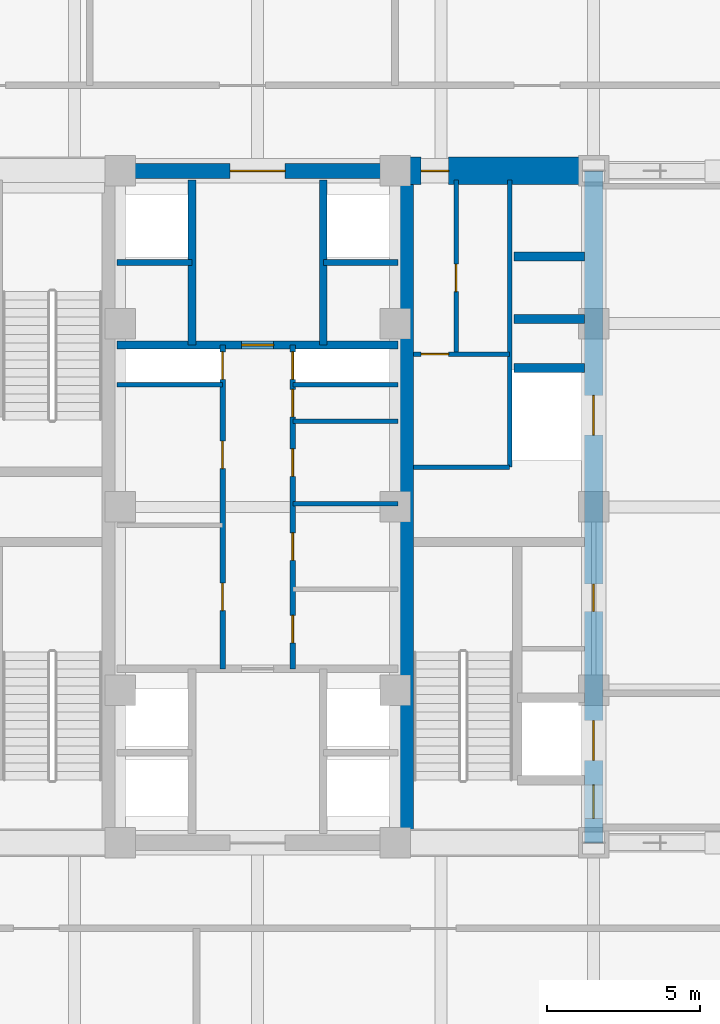
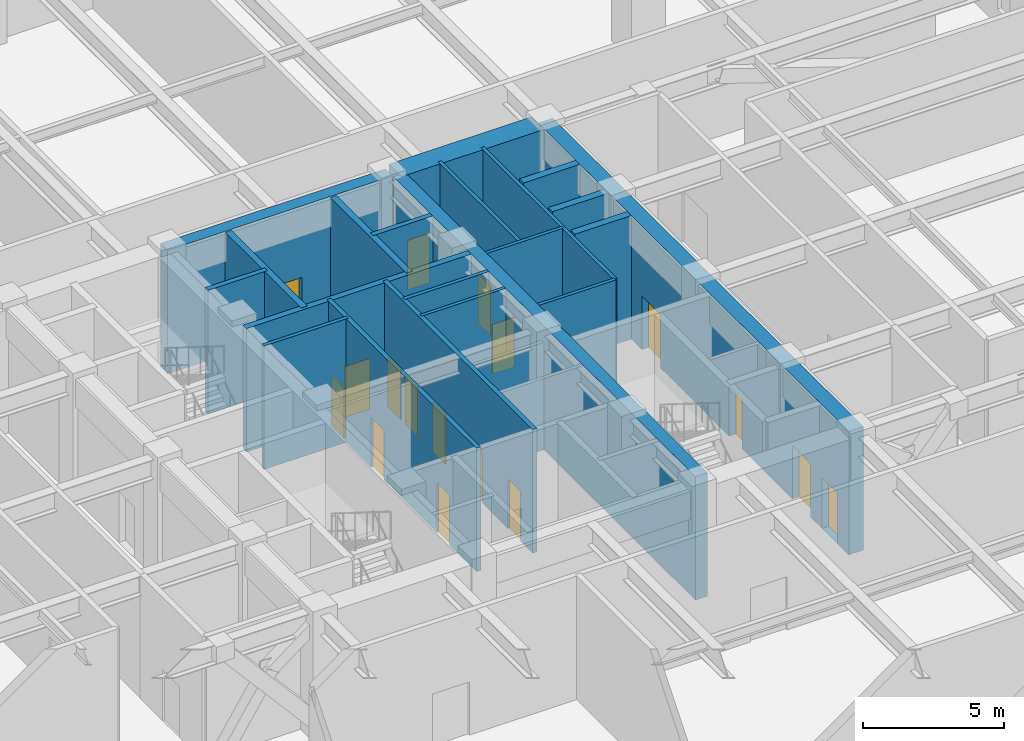
# One storey, part 14 of 21: 22 walls, 17 doors, 17 openings.
"""IFC4 building model written with IfcOpenShell, lengths in metres."""

from ifc_helpers import new_model, si_unit, direction, frame, frame_2d, origin, place, context, subcontext, project, spatial, rectangle, extrude, source, transform, mapped, material, layer, layer_set, type_object, element, fill, save


model = new_model("IFC4")

# Units and contexts
model_context = context("Model", 3, precision=1e-05, world=origin(), true_north=direction((0.0, 1.0)))
body_context = subcontext(model_context, "Body", "Model", "MODEL_VIEW")
ifc_project = project(units=[si_unit("LENGTHUNIT", "METRE"), si_unit("AREAUNIT", "SQUARE_METRE"), si_unit("VOLUMEUNIT", "CUBIC_METRE"), si_unit("PLANEANGLEUNIT", "RADIAN"), si_unit("MASSUNIT", "GRAM", prefix="KILO")], contexts=[model_context])

# Site, building, storey
site_placement = place(None, origin())
site = spatial("IfcSite", under=ifc_project, at=site_placement, CompositionType="ELEMENT")
building_placement = place(site_placement, origin())
building = spatial("IfcBuilding", under=site, at=building_placement, Name="Khorayat Bourse Tower", CompositionType="ELEMENT")
storey_placement = place(building_placement, frame((0.0, 0.0, 27.0)))
storey = spatial("IfcBuildingStorey", under=building, at=storey_placement, Name="L05", CompositionType="ELEMENT", Elevation=27.0)

# Wall, openings, doors
ifc_material_1 = material(Name="Concrete C60/75", Category="concrete")
ifc_layer_1 = layer(ifc_material_1, 0.60009765625)
ifc_layer_set_1 = layer_set([ifc_layer_1], Name="Concrete C60/75")
wall_type_1 = type_object("IfcWallType", Name="WAL-CORE-600", PredefinedType="SHEAR", material=ifc_layer_set_1)
shared_shape_1 = source(origin(), body_context, "Body", "SweptSolid", [
    extrude(rectangle(XDim=22.0, YDim=0.60009765625, at=frame_2d((11.0, 0.0))), origin(), (0.0, 0.0, 1.0), 5.340087890625),
])
wall_1_placement = place(storey_placement, frame((11.0, -11.0, 0.0), z_axis=(0.0, 0.0, 1.0), x_axis=(0.0, 1.0, 0.0)))
wall_1 = element("IfcWall", 1, at=wall_1_placement, inside=storey, type_object=wall_type_1, Name="L05 Core Shear Wall CORE-E", PredefinedType="SHEAR", context=body_context, shape_type="MappedRepresentation", body=[
    mapped(shared_shape_1, transform((0.0, 0.0, 0.0), scale=1.0)),
])
shared_shape_2 = source(origin(), body_context, "Body", "SweptSolid", [
    extrude(rectangle(XDim=1.10009765625, YDim=2.199951171875, at=frame_2d((0.550048828125, 1.10009765625))), frame((0.0, 0.31005859375, 0.0), z_axis=(0.0, -1.0, 0.0), x_axis=(1.0, 0.0, 0.0)), (0.0, 0.0, 1.0), 0.6201171875),
])
opening_1_placement = place(wall_1_placement, frame((0.800048828125, 0.0, 0.0)))
opening_1 = element("IfcOpeningElement", 2, at=opening_1_placement, cuts=wall_1, Name="Opening DI-01", PredefinedType="OPENING", context=body_context, shape_type="MappedRepresentation", body=[
    mapped(shared_shape_2, transform((0.0, 0.0, 0.0), scale=1.0)),
])
shared_shape_3 = source(origin(), body_context, "Body", "SweptSolid", [
    extrude(rectangle(XDim=0.89990234375, YDim=2.14990234375, at=frame_2d((0.449951171875, 1.074951171875))), frame((0.0, 0.31005859375, 0.0), z_axis=(0.0, -1.0, 0.0), x_axis=(1.0, 0.0, 0.0)), (0.0, 0.0, 1.0), 0.6201171875),
])
opening_2_placement = place(wall_1_placement, frame((7.574951171875, 0.0, 0.0)))
opening_2 = element("IfcOpeningElement", 3, at=opening_2_placement, cuts=wall_1, Name="Opening DI-06", PredefinedType="OPENING", context=body_context, shape_type="MappedRepresentation", body=[
    mapped(shared_shape_3, transform((0.0, 0.0, 0.0), scale=1.0)),
])
shared_shape_4 = source(origin(), body_context, "Body", "SweptSolid", [
    extrude(rectangle(XDim=1.300048828125, YDim=2.300048828125, at=frame_2d((0.64990234375, 1.14990234375))), frame((0.0, 0.31005859375, 0.0), z_axis=(0.0, -1.0, 0.0), x_axis=(1.0, 0.0, 0.0)), (0.0, 0.0, 1.0), 0.6201171875),
])
opening_3_placement = place(wall_1_placement, frame((2.699951171875, 0.0, 0.0)))
opening_3 = element("IfcOpeningElement", 4, at=opening_3_placement, cuts=wall_1, Name="Opening LD-02", PredefinedType="OPENING", context=body_context, shape_type="MappedRepresentation", body=[
    mapped(shared_shape_4, transform((0.0, 0.0, 0.0), scale=1.0)),
])
opening_4_placement = place(wall_1_placement, frame((13.35009765625, 0.0, 0.0)))
opening_4 = element("IfcOpeningElement", 5, at=opening_4_placement, cuts=wall_1, Name="Opening LD-02", PredefinedType="OPENING", context=body_context, shape_type="MappedRepresentation", body=[
    mapped(shared_shape_4, transform((0.0, 0.0, 0.0), scale=1.0)),
])
ifc_material_2 = material(Name="Fire-rated steel acoustic leaf", Category="steel")
door_type_1 = type_object("IfcDoorType", Name="DR-INT-STAIR-1100", OperationType="NOTDEFINED", PredefinedType="DOOR", material=ifc_material_2)
shared_shape_5 = source(origin(), body_context, "Body", "SweptSolid", [
    extrude(rectangle(XDim=1.10009765625, YDim=2.199951171875, at=frame_2d((0.550048828125, 1.10009765625))), frame((0.0, 0.02490234375, 0.0), z_axis=(0.0, -1.0, 0.0), x_axis=(1.0, 0.0, 0.0)), (0.0, 0.0, 1.0), 0.050048828125),
])
door_1_placement = place(opening_1_placement, origin())
door_1 = element("IfcDoor", 6, at=door_1_placement, inside=storey, type_object=door_type_1, Name="L05 Exit Stair 3 Door", OperationType="SINGLE_SWING_LEFT", OverallHeight=2.199951171875, OverallWidth=1.10009765625, PredefinedType="DOOR", context=body_context, shape_type="MappedRepresentation", body=[
    mapped(shared_shape_5, transform((0.0, 0.0, 0.0), scale=1.0)),
])
fill(opening_1, door_1)
ifc_material_3 = material(Name="Moisture-resistant laminate washroom door")
door_type_2 = type_object("IfcDoorType", Name="DR-INT-WC-900", OperationType="NOTDEFINED", PredefinedType="DOOR", material=ifc_material_3)
shared_shape_6 = source(origin(), body_context, "Body", "SweptSolid", [
    extrude(rectangle(XDim=0.89990234375, YDim=2.14990234375, at=frame_2d((0.449951171875, 1.074951171875))), frame((0.0, 0.02490234375, 0.0), z_axis=(0.0, -1.0, 0.0), x_axis=(1.0, 0.0, 0.0)), (0.0, 0.0, 1.0), 0.050048828125),
])
door_2_placement = place(opening_2_placement, origin())
door_2 = element("IfcDoor", 7, at=door_2_placement, inside=storey, type_object=door_type_2, Name="L05 Fiber Server Plant Room Door", OperationType="SINGLE_SWING_LEFT", OverallHeight=2.14990234375, OverallWidth=0.89990234375, PredefinedType="DOOR", context=body_context, shape_type="MappedRepresentation", body=[
    mapped(shared_shape_6, transform((0.0, 0.0, 0.0), scale=1.0)),
])
fill(opening_2, door_2)
ifc_material_4 = material(Name="Fire-rated stainless-steel sliding landing door", Category="steel")
door_type_3 = type_object("IfcDoorType", Name="DR-LIFT-FF-1300", OperationType="NOTDEFINED", PredefinedType="DOOR", material=ifc_material_4)
shared_shape_7 = source(origin(), body_context, "Body", "SweptSolid", [
    extrude(rectangle(XDim=1.300048828125, YDim=2.300048828125, at=frame_2d((0.64990234375, 1.14990234375))), frame((0.0, 0.02490234375, 0.0), z_axis=(0.0, -1.0, 0.0), x_axis=(1.0, 0.0, 0.0)), (0.0, 0.0, 1.0), 0.050048828125),
])
door_3_placement = place(opening_3_placement, origin())
door_3 = element("IfcDoor", 8, at=door_3_placement, inside=storey, type_object=door_type_3, Name="L05 Lift FFL-02 Sliding Landing Door", OperationType="SLIDING_TO_LEFT", OverallHeight=2.300048828125, OverallWidth=1.300048828125, PredefinedType="DOOR", context=body_context, shape_type="MappedRepresentation", body=[
    mapped(shared_shape_7, transform((0.0, 0.0, 0.0), scale=1.0)),
])
fill(opening_3, door_3)
door_4_placement = place(opening_4_placement, origin())
door_4 = element("IfcDoor", 9, at=door_4_placement, inside=storey, type_object=door_type_3, Name="L05 Lift SVL-01 Sliding Landing Door", OperationType="SLIDING_TO_LEFT", OverallHeight=2.300048828125, OverallWidth=1.300048828125, PredefinedType="DOOR", context=body_context, shape_type="MappedRepresentation", body=[
    mapped(shared_shape_7, transform((0.0, 0.0, 0.0), scale=1.0)),
])
fill(opening_4, door_4)

# Wall
ifc_material_5 = material(Name="Concrete C52/65", Category="concrete")
ifc_layer_2 = layer(ifc_material_5, 0.5)
ifc_layer_set_2 = layer_set([ifc_layer_2], Name="Concrete C52/65")
wall_type_2 = type_object("IfcWallType", Name="WAL-CORE-500", PredefinedType="SHEAR", material=ifc_layer_set_2)
shared_shape_8 = source(origin(), body_context, "Body", "SweptSolid", [
    extrude(rectangle(XDim=21.39990234375, YDim=0.5, at=frame_2d((10.699951171875, 0.0))), origin(), (0.0, 0.0, 1.0), 5.340087890625),
])
wall_2_placement = place(storey_placement, frame((4.85009765625, -10.699951171875, 0.0), z_axis=(0.0, 0.0, 1.0), x_axis=(0.0, 1.0, 0.0)))
element("IfcWall", 10, at=wall_2_placement, inside=storey, type_object=wall_type_2, Name="L05 Core Shear Wall PIER-E", PredefinedType="SHEAR", context=body_context, shape_type="MappedRepresentation", body=[
    mapped(shared_shape_8, transform((0.0, 0.0, 0.0), scale=1.0)),
])

# Wall, opening, door
ifc_material_6 = material(Name="Concrete C72/90", Category="concrete")
ifc_layer_3 = layer(ifc_material_6, 0.89990234375)
ifc_layer_set_3 = layer_set([ifc_layer_3], Name="Concrete C72/90")
wall_type_3 = type_object("IfcWallType", Name="WAL-CORE-900", PredefinedType="SHEAR", material=ifc_layer_set_3)
shared_shape_9 = source(origin(), body_context, "Body", "SweptSolid", [
    extrude(rectangle(XDim=5.849853515625, YDim=0.89990234375, at=frame_2d((2.9248046875, 0.0))), origin(), (0.0, 0.0, 1.0), 5.340087890625),
])
wall_3_placement = place(storey_placement, frame((4.85009765625, 11.0, 0.0), z_axis=(0.0, 0.0, 1.0), x_axis=(1.0, 0.0, 0.0)))
wall_3 = element("IfcWall", 11, at=wall_3_placement, inside=storey, type_object=wall_type_3, Name="L05 Core Shear Wall PIER-EN", PredefinedType="SHEAR", context=body_context, shape_type="MappedRepresentation", body=[
    mapped(shared_shape_9, transform((0.0, 0.0, 0.0), scale=1.0)),
])
shared_shape_10 = source(origin(), body_context, "Body", "SweptSolid", [
    extrude(rectangle(XDim=0.89990234375, YDim=2.14990234375, at=frame_2d((0.449951171875, 1.074951171875))), frame((0.0, 0.4599609375, 0.0), z_axis=(0.0, -1.0, 0.0), x_axis=(1.0, 0.0, 0.0)), (0.0, 0.0, 1.0), 0.919921875),
])
opening_5_placement = place(wall_3_placement, frame((0.5, 0.0, 0.0)))
opening_5 = element("IfcOpeningElement", 12, at=opening_5_placement, cuts=wall_3, Name="Opening DI-06", PredefinedType="OPENING", context=body_context, shape_type="MappedRepresentation", body=[
    mapped(shared_shape_10, transform((0.0, 0.0, 0.0), scale=1.0)),
])
door_5_placement = place(opening_5_placement, origin())
door_5 = element("IfcDoor", 13, at=door_5_placement, inside=storey, type_object=door_type_2, Name="L05 Core Washroom Lobby Door", OperationType="SINGLE_SWING_LEFT", OverallHeight=2.14990234375, OverallWidth=0.89990234375, PredefinedType="DOOR", context=body_context, shape_type="MappedRepresentation", body=[
    mapped(shared_shape_6, transform((0.0, 0.0, 0.0), scale=1.0)),
])
fill(opening_5, door_5)

shared_shape_11 = source(origin(), body_context, "Body", "SweptSolid", [
    extrude(rectangle(XDim=9.2001953125, YDim=0.5, at=frame_2d((4.60009765625, 0.0))), origin(), (0.0, 0.0, 1.0), 5.340087890625),
])
wall_4_placement = place(storey_placement, frame((-4.60009765625, 11.0, 0.0), z_axis=(0.0, 0.0, 1.0), x_axis=(1.0, 0.0, 0.0)))
wall_4 = element("IfcWall", 14, at=wall_4_placement, inside=storey, type_object=wall_type_2, Name="L05 Core Shear Wall CORE-N", PredefinedType="SHEAR", context=body_context, shape_type="MappedRepresentation", body=[
    mapped(shared_shape_11, transform((0.0, 0.0, 0.0), scale=1.0)),
])
shared_shape_12 = source(origin(), body_context, "Body", "SweptSolid", [
    extrude(rectangle(XDim=1.800048828125, YDim=2.25, at=frame_2d((0.89990234375, 1.125))), frame((0.0, 0.260009765625, 0.0), z_axis=(0.0, -1.0, 0.0), x_axis=(1.0, 0.0, 0.0)), (0.0, 0.0, 1.0), 0.52001953125),
])
opening_6_placement = place(wall_4_placement, frame((3.699951171875, 0.0, 0.0)))
opening_6 = element("IfcOpeningElement", 15, at=opening_6_placement, cuts=wall_4, Name="Opening DI-03", PredefinedType="OPENING", context=body_context, shape_type="MappedRepresentation", body=[
    mapped(shared_shape_12, transform((0.0, 0.0, 0.0), scale=1.0)),
])
ifc_material_7 = material(Name="Fire-rated hardwood vision-panel double leaf", Category="wood")
door_type_4 = type_object("IfcDoorType", Name="DR-INT-CORR-1800", OperationType="NOTDEFINED", PredefinedType="DOOR", material=ifc_material_7)
shared_shape_13 = source(origin(), body_context, "Body", "SweptSolid", [
    extrude(rectangle(XDim=1.800048828125, YDim=2.25, at=frame_2d((0.89990234375, 1.125))), frame((0.0, 0.02490234375, 0.0), z_axis=(0.0, -1.0, 0.0), x_axis=(1.0, 0.0, 0.0)), (0.0, 0.0, 1.0), 0.050048828125),
])
door_6_placement = place(opening_6_placement, origin())
door_6 = element("IfcDoor", 16, at=door_6_placement, inside=storey, type_object=door_type_4, Name="L05 Mid-Rise Lift Lobby Door", OperationType="SINGLE_SWING_RIGHT", OverallHeight=2.25, OverallWidth=1.800048828125, PredefinedType="DOOR", context=body_context, shape_type="MappedRepresentation", body=[
    mapped(shared_shape_13, transform((0.0, 0.0, 0.0), scale=1.0)),
])
fill(opening_6, door_6)

# Walls
ifc_material_8 = material(Name="Concrete C50/60", Category="concrete")
ifc_layer_4 = layer(ifc_material_8, 0.300048828125)
ifc_layer_set_4 = layer_set([ifc_layer_4], Name="Concrete C50/60")
wall_type_4 = type_object("IfcWallType", Name="WAL-SHAFT-300", PredefinedType="SHEAR", material=ifc_layer_set_4)
shared_shape_14 = source(origin(), body_context, "Body", "SweptSolid", [
    extrude(rectangle(XDim=2.300048828125, YDim=0.300048828125, at=frame_2d((1.14990234375, 0.0))), origin(), (0.0, 0.0, 1.0), 5.340087890625),
])
for number, where, z_axis, x_axis, name in (
    (17, (8.39990234375, 4.550048828125, 0.0), (0.0, 0.0, 1.0), (1.0, 0.0, 0.0), "L05 Partition WAL-L05-EPIER-SVLN"),
    (18, (8.39990234375, 6.14990234375, 0.0), (0.0, 0.0, 1.0), (1.0, 0.0, 0.0), "L05 Partition WAL-L05-EPIER-H3S"),
    (19, (8.39990234375, 8.199951171875, 0.0), (0.0, 0.0, 1.0), (1.0, 0.0, 0.0), "L05 Partition WAL-L05-EPIER-H34"),
):
    element("IfcWall", number, at=place(storey_placement, frame(where, z_axis=z_axis, x_axis=x_axis)), inside=storey, type_object=wall_type_4, Name=name, PredefinedType="SHEAR", context=body_context, shape_type="MappedRepresentation", body=[
        mapped(shared_shape_14, transform((0.0, 0.0, 0.0), scale=1.0)),
    ])
ifc_material_9 = material(Name="Moisture-resistant masonry partition", Category="masonry")
ifc_layer_5 = layer(ifc_material_9, 0.139892578125)
ifc_layer_set_5 = layer_set([ifc_layer_5], Name="Moisture-resistant masonry partition")
wall_type_5 = type_object("IfcWallType", Name="WAL-PART-WET-140", PredefinedType="PARTITIONING", material=ifc_layer_set_5)
shared_shape_15 = source(origin(), body_context, "Body", "SweptSolid", [
    extrude(rectangle(XDim=9.39990234375, YDim=0.139892578125, at=frame_2d((4.699951171875, 0.0))), origin(), (0.0, 0.0, 1.0), 5.340087890625),
])
wall_5_placement = place(storey_placement, frame((8.25, 1.300048828125, 0.0), z_axis=(0.0, 0.0, 1.0), x_axis=(0.0, 1.0, 0.0)))
element("IfcWall", 20, at=wall_5_placement, inside=storey, type_object=wall_type_5, Name="L05 Partition WAL-L05-ECORE-E", PredefinedType="PARTITIONING", context=body_context, shape_type="MappedRepresentation", body=[
    mapped(shared_shape_15, transform((0.0, 0.0, 0.0), scale=1.0)),
])
shared_shape_16 = source(origin(), body_context, "Body", "SweptSolid", [
    extrude(rectangle(XDim=3.14990234375, YDim=0.139892578125, at=frame_2d((1.574951171875, 0.0))), origin(), (0.0, 0.0, 1.0), 5.340087890625),
])
wall_6_placement = place(storey_placement, frame((5.10009765625, 1.300048828125, 0.0), z_axis=(0.0, 0.0, 1.0), x_axis=(1.0, 0.0, 0.0)))
element("IfcWall", 21, at=wall_6_placement, inside=storey, type_object=wall_type_5, Name="L05 Partition WAL-L05-ECORE-S", PredefinedType="PARTITIONING", context=body_context, shape_type="MappedRepresentation", body=[
    mapped(shared_shape_16, transform((0.0, 0.0, 0.0), scale=1.0)),
])

# Wall, opening, door
wall_7_placement = place(storey_placement, frame((5.10009765625, 5.0, 0.0), z_axis=(0.0, 0.0, 1.0), x_axis=(1.0, 0.0, 0.0)))
wall_7 = element("IfcWall", 22, at=wall_7_placement, inside=storey, type_object=wall_type_5, Name="L05 Partition WAL-L05-ECW-BOT", PredefinedType="PARTITIONING", context=body_context, shape_type="MappedRepresentation", body=[
    mapped(shared_shape_16, transform((0.0, 0.0, 0.0), scale=1.0)),
])
shared_shape_17 = source(origin(), body_context, "Body", "SweptSolid", [
    extrude(rectangle(XDim=0.89990234375, YDim=2.14990234375, at=frame_2d((0.449951171875, 1.074951171875))), frame((0.0, 0.079833984375, 0.0), z_axis=(0.0, -1.0, 0.0), x_axis=(1.0, 0.0, 0.0)), (0.0, 0.0, 1.0), 0.159912109375),
])
opening_7_placement = place(wall_7_placement, frame((0.25, 0.0, 0.0)))
opening_7 = element("IfcOpeningElement", 23, at=opening_7_placement, cuts=wall_7, Name="Opening DI-06", PredefinedType="OPENING", context=body_context, shape_type="MappedRepresentation", body=[
    mapped(shared_shape_17, transform((0.0, 0.0, 0.0), scale=1.0)),
])
door_7_placement = place(opening_7_placement, origin())
door_7 = element("IfcDoor", 24, at=door_7_placement, inside=storey, type_object=door_type_2, Name="L05 Shared Washroom Door", OperationType="SINGLE_SWING_LEFT", OverallHeight=2.14990234375, OverallWidth=0.89990234375, PredefinedType="DOOR", context=body_context, shape_type="MappedRepresentation", body=[
    mapped(shared_shape_6, transform((0.0, 0.0, 0.0), scale=1.0)),
])
fill(opening_7, door_7)

shared_shape_18 = source(origin(), body_context, "Body", "SweptSolid", [
    extrude(rectangle(XDim=5.699951171875, YDim=0.139892578125, at=frame_2d((2.85009765625, 0.0))), origin(), (0.0, 0.0, 1.0), 5.340087890625),
])
wall_8_placement = place(storey_placement, frame((6.5, 5.0, 0.0), z_axis=(0.0, 0.0, 1.0), x_axis=(0.0, 1.0, 0.0)))
wall_8 = element("IfcWall", 25, at=wall_8_placement, inside=storey, type_object=wall_type_5, Name="L05 Partition WAL-L05-ECW-MID", PredefinedType="PARTITIONING", context=body_context, shape_type="MappedRepresentation", body=[
    mapped(shared_shape_18, transform((0.0, 0.0, 0.0), scale=1.0)),
])
opening_8_placement = place(wall_8_placement, frame((2.050048828125, 0.0, 0.0)))
opening_8 = element("IfcOpeningElement", 26, at=opening_8_placement, cuts=wall_8, Name="Opening DI-06", PredefinedType="OPENING", context=body_context, shape_type="MappedRepresentation", body=[
    mapped(shared_shape_17, transform((0.0, 0.0, 0.0), scale=1.0)),
])
door_8_placement = place(opening_8_placement, origin())
door_8 = element("IfcDoor", 27, at=door_8_placement, inside=storey, type_object=door_type_2, Name="L05 Accessible WC Door", OperationType="SINGLE_SWING_RIGHT", OverallHeight=2.14990234375, OverallWidth=0.89990234375, PredefinedType="DOOR", context=body_context, shape_type="MappedRepresentation", body=[
    mapped(shared_shape_6, transform((0.0, 0.0, 0.0), scale=1.0)),
])
fill(opening_8, door_8)

# Walls
ifc_material_10 = material(Name="Gypsum plasterboard twin-frame partition")
ifc_layer_6 = layer(ifc_material_10, 0.14990234375)
ifc_layer_set_6 = layer_set([ifc_layer_6], Name="Gypsum plasterboard twin-frame partition")
wall_type_6 = type_object("IfcWallType", Name="WAL-PART-SUITE-150", PredefinedType="PARTITIONING", material=ifc_layer_set_6)
shared_shape_19 = source(origin(), body_context, "Body", "SweptSolid", [
    extrude(rectangle(XDim=3.4501953125, YDim=0.14990234375, at=frame_2d((1.72509765625, 0.0))), origin(), (0.0, 0.0, 1.0), 5.340087890625),
])
for number, where, z_axis, x_axis, name in (
    (28, (-4.60009765625, 4.0, 0.0), (0.0, 0.0, 1.0), (1.0, 0.0, 0.0), "L05 Partition WAL-L05-CRSW-S"),
    (29, (1.14990234375, 4.0, 0.0), (0.0, 0.0, 1.0), (1.0, 0.0, 0.0), "L05 Partition WAL-L05-CRSE-S"),
):
    element("IfcWall", number, at=place(storey_placement, frame(where, z_axis=z_axis, x_axis=x_axis)), inside=storey, type_object=wall_type_6, Name=name, PredefinedType="PARTITIONING", context=body_context, shape_type="MappedRepresentation", body=[
        mapped(shared_shape_19, transform((0.0, 0.0, 0.0), scale=1.0)),
    ])
shared_shape_20 = source(origin(), body_context, "Body", "SweptSolid", [
    extrude(rectangle(XDim=5.39990234375, YDim=0.25, at=frame_2d((2.699951171875, 0.0))), origin(), (0.0, 0.0, 1.0), 5.340087890625),
])
for number, where, z_axis, x_axis, name in (
    (30, (-2.14990234375, 5.300048828125, 0.0), (0.0, 0.0, 1.0), (0.0, 1.0, 0.0), "L05 Partition WAL-L05-B2-W"),
    (31, (2.14990234375, 5.300048828125, 0.0), (0.0, 0.0, 1.0), (0.0, 1.0, 0.0), "L05 Partition WAL-L05-B2-E"),
):
    element("IfcWall", number, at=place(storey_placement, frame(where, z_axis=z_axis, x_axis=x_axis)), inside=storey, type_object=wall_type_4, Name=name, PredefinedType="SHEAR", context=body_context, shape_type="MappedRepresentation", body=[
        mapped(shared_shape_20, transform((0.0, 0.0, 0.0), scale=1.0)),
    ])
shared_shape_21 = source(origin(), body_context, "Body", "SweptSolid", [
    extrude(rectangle(XDim=2.4501953125, YDim=0.199951171875, at=frame_2d((1.22509765625, 0.0))), origin(), (0.0, 0.0, 1.0), 5.340087890625),
])
for number, where, z_axis, x_axis, name in (
    (32, (-4.60009765625, 8.0, 0.0), (0.0, 0.0, 1.0), (1.0, 0.0, 0.0), "L05 Partition WAL-L05-B2-MW"),
    (33, (2.14990234375, 8.0, 0.0), (0.0, 0.0, 1.0), (1.0, 0.0, 0.0), "L05 Partition WAL-L05-B2-ME"),
):
    element("IfcWall", number, at=place(storey_placement, frame(where, z_axis=z_axis, x_axis=x_axis)), inside=storey, type_object=wall_type_4, Name=name, PredefinedType="SHEAR", context=body_context, shape_type="MappedRepresentation", body=[
        mapped(shared_shape_21, transform((0.0, 0.0, 0.0), scale=1.0)),
    ])

# Wall, opening, door
shared_shape_22 = source(origin(), body_context, "Body", "SweptSolid", [
    extrude(rectangle(XDim=9.2001953125, YDim=0.25, at=frame_2d((4.60009765625, 0.0))), origin(), (0.0, 0.0, 1.0), 5.340087890625),
])
wall_9_placement = place(storey_placement, frame((-4.60009765625, 5.300048828125, 0.0), z_axis=(0.0, 0.0, 1.0), x_axis=(1.0, 0.0, 0.0)))
wall_9 = element("IfcWall", 34, at=wall_9_placement, inside=storey, type_object=wall_type_4, Name="L05 Partition WAL-L05-B2-S", PredefinedType="SHEAR", context=body_context, shape_type="MappedRepresentation", body=[
    mapped(shared_shape_22, transform((0.0, 0.0, 0.0), scale=1.0)),
])
shared_shape_23 = source(origin(), body_context, "Body", "SweptSolid", [
    extrude(rectangle(XDim=1.050048828125, YDim=2.199951171875, at=frame_2d((0.52490234375, 1.10009765625))), frame((0.0, 0.135009765625, 0.0), z_axis=(0.0, -1.0, 0.0), x_axis=(1.0, 0.0, 0.0)), (0.0, 0.0, 1.0), 0.27001953125),
])
opening_9_placement = place(wall_9_placement, frame((4.074951171875, 0.0, 0.0)))
opening_9 = element("IfcOpeningElement", 35, at=opening_9_placement, cuts=wall_9, Name="Opening DI-04", PredefinedType="OPENING", context=body_context, shape_type="MappedRepresentation", body=[
    mapped(shared_shape_23, transform((0.0, 0.0, 0.0), scale=1.0)),
])
ifc_material_11 = material(Name="Fire-rated oak veneer suite entrance door")
door_type_5 = type_object("IfcDoorType", Name="DR-INT-SUITE-1050", OperationType="NOTDEFINED", PredefinedType="DOOR", material=ifc_material_11)
shared_shape_24 = source(origin(), body_context, "Body", "SweptSolid", [
    extrude(rectangle(XDim=1.050048828125, YDim=2.199951171875, at=frame_2d((0.52490234375, 1.10009765625))), frame((0.0, 0.02490234375, 0.0), z_axis=(0.0, -1.0, 0.0), x_axis=(1.0, 0.0, 0.0)), (0.0, 0.0, 1.0), 0.050048828125),
])
door_9_placement = place(opening_9_placement, origin())
door_9 = element("IfcDoor", 36, at=door_9_placement, inside=storey, type_object=door_type_5, Name="L05 Core Spine North Door", OperationType="SINGLE_SWING_RIGHT", OverallHeight=2.199951171875, OverallWidth=1.050048828125, PredefinedType="DOOR", context=body_context, shape_type="MappedRepresentation", body=[
    mapped(shared_shape_24, transform((0.0, 0.0, 0.0), scale=1.0)),
])
fill(opening_9, door_9)

# Wall
shared_shape_25 = source(origin(), body_context, "Body", "SweptSolid", [
    extrude(rectangle(XDim=3.4501953125, YDim=0.139892578125, at=frame_2d((1.72509765625, 0.0))), origin(), (0.0, 0.0, 1.0), 5.340087890625),
])
wall_10_placement = place(storey_placement, frame((1.14990234375, 2.800048828125, 0.0), z_axis=(0.0, 0.0, 1.0), x_axis=(1.0, 0.0, 0.0)))
element("IfcWall", 37, at=wall_10_placement, inside=storey, type_object=wall_type_5, Name="L05 Partition WAL-L05-CME-D3", PredefinedType="PARTITIONING", context=body_context, shape_type="MappedRepresentation", body=[
    mapped(shared_shape_25, transform((0.0, 0.0, 0.0), scale=1.0)),
])

# Wall, openings, doors
ifc_material_12 = material(Name="Gypsum plasterboard acoustic stud wall")
ifc_layer_7 = layer(ifc_material_12, 0.179931640625)
ifc_layer_set_7 = layer_set([ifc_layer_7], Name="Gypsum plasterboard acoustic stud wall")
wall_type_7 = type_object("IfcWallType", Name="WAL-PART-CORR-180", PredefinedType="PARTITIONING", material=ifc_layer_set_7)
shared_shape_26 = source(origin(), body_context, "Body", "SweptSolid", [
    extrude(rectangle(XDim=10.60009765625, YDim=0.179931640625, at=frame_2d((5.300048828125, 0.0))), origin(), (0.0, 0.0, 1.0), 5.340087890625),
])
wall_11_placement = place(storey_placement, frame((-1.14990234375, -5.300048828125, 0.0), z_axis=(0.0, 0.0, 1.0), x_axis=(0.0, 1.0, 0.0)))
wall_11 = element("IfcWall", 38, at=wall_11_placement, inside=storey, type_object=wall_type_7, Name="L05 Partition WAL-L05-CMW-L", PredefinedType="PARTITIONING", context=body_context, shape_type="MappedRepresentation", body=[
    mapped(shared_shape_26, transform((0.0, 0.0, 0.0), scale=1.0)),
])
shared_shape_27 = source(origin(), body_context, "Body", "SweptSolid", [
    extrude(rectangle(XDim=0.89990234375, YDim=2.14990234375, at=frame_2d((0.449951171875, 1.074951171875))), frame((0.0, 0.099853515625, 0.0), z_axis=(0.0, -1.0, 0.0), x_axis=(1.0, 0.0, 0.0)), (0.0, 0.0, 1.0), 0.199951171875),
])
opening_10_placement = place(wall_11_placement, frame((1.89990234375, 0.0, 0.0)))
opening_10 = element("IfcOpeningElement", 39, at=opening_10_placement, cuts=wall_11, Name="Opening DI-06", PredefinedType="OPENING", context=body_context, shape_type="MappedRepresentation", body=[
    mapped(shared_shape_27, transform((0.0, 0.0, 0.0), scale=1.0)),
])
opening_11_placement = place(wall_11_placement, frame((6.550048828125, 0.0, 0.0)))
opening_11 = element("IfcOpeningElement", 40, at=opening_11_placement, cuts=wall_11, Name="Opening DI-06", PredefinedType="OPENING", context=body_context, shape_type="MappedRepresentation", body=[
    mapped(shared_shape_27, transform((0.0, 0.0, 0.0), scale=1.0)),
])
opening_12_placement = place(wall_11_placement, frame((9.47509765625, 0.0, 0.0)))
opening_12 = element("IfcOpeningElement", 41, at=opening_12_placement, cuts=wall_11, Name="Opening DI-06", PredefinedType="OPENING", context=body_context, shape_type="MappedRepresentation", body=[
    mapped(shared_shape_27, transform((0.0, 0.0, 0.0), scale=1.0)),
])
door_10_placement = place(opening_10_placement, origin())
door_10 = element("IfcDoor", 42, at=door_10_placement, inside=storey, type_object=door_type_2, Name="L05 Male Core Washroom Door", OperationType="SINGLE_SWING_RIGHT", OverallHeight=2.14990234375, OverallWidth=0.89990234375, PredefinedType="DOOR", context=body_context, shape_type="MappedRepresentation", body=[
    mapped(shared_shape_6, transform((0.0, 0.0, 0.0), scale=1.0)),
])
fill(opening_10, door_10)
door_11_placement = place(opening_11_placement, origin())
door_11 = element("IfcDoor", 43, at=door_11_placement, inside=storey, type_object=door_type_2, Name="L05 Chilled Water Riser Plant Room Door", OperationType="SINGLE_SWING_LEFT", OverallHeight=2.14990234375, OverallWidth=0.89990234375, PredefinedType="DOOR", context=body_context, shape_type="MappedRepresentation", body=[
    mapped(shared_shape_6, transform((0.0, 0.0, 0.0), scale=1.0)),
])
fill(opening_11, door_11)
door_12_placement = place(opening_12_placement, origin())
door_12 = element("IfcDoor", 44, at=door_12_placement, inside=storey, type_object=door_type_2, Name="L05 West Core Riser Door", OperationType="SINGLE_SWING_LEFT", OverallHeight=2.14990234375, OverallWidth=0.89990234375, PredefinedType="DOOR", context=body_context, shape_type="MappedRepresentation", body=[
    mapped(shared_shape_6, transform((0.0, 0.0, 0.0), scale=1.0)),
])
fill(opening_12, door_12)

wall_12_placement = place(storey_placement, frame((1.14990234375, -5.300048828125, 0.0), z_axis=(0.0, 0.0, 1.0), x_axis=(0.0, 1.0, 0.0)))
wall_12 = element("IfcWall", 45, at=wall_12_placement, inside=storey, type_object=wall_type_7, Name="L05 Partition WAL-L05-CME-L", PredefinedType="PARTITIONING", context=body_context, shape_type="MappedRepresentation", body=[
    mapped(shared_shape_26, transform((0.0, 0.0, 0.0), scale=1.0)),
])
opening_13_placement = place(wall_12_placement, frame((0.85009765625, 0.0, 0.0)))
opening_13 = element("IfcOpeningElement", 46, at=opening_13_placement, cuts=wall_12, Name="Opening DI-06", PredefinedType="OPENING", context=body_context, shape_type="MappedRepresentation", body=[
    mapped(shared_shape_27, transform((0.0, 0.0, 0.0), scale=1.0)),
])
opening_14_placement = place(wall_12_placement, frame((3.550048828125, 0.0, 0.0)))
opening_14 = element("IfcOpeningElement", 47, at=opening_14_placement, cuts=wall_12, Name="Opening DI-06", PredefinedType="OPENING", context=body_context, shape_type="MappedRepresentation", body=[
    mapped(shared_shape_27, transform((0.0, 0.0, 0.0), scale=1.0)),
])
opening_15_placement = place(wall_12_placement, frame((6.300048828125, 0.0, 0.0)))
opening_15 = element("IfcOpeningElement", 48, at=opening_15_placement, cuts=wall_12, Name="Opening DI-06", PredefinedType="OPENING", context=body_context, shape_type="MappedRepresentation", body=[
    mapped(shared_shape_27, transform((0.0, 0.0, 0.0), scale=1.0)),
])
opening_16_placement = place(wall_12_placement, frame((8.25, 0.0, 0.0)))
opening_16 = element("IfcOpeningElement", 49, at=opening_16_placement, cuts=wall_12, Name="Opening DI-06", PredefinedType="OPENING", context=body_context, shape_type="MappedRepresentation", body=[
    mapped(shared_shape_27, transform((0.0, 0.0, 0.0), scale=1.0)),
])
opening_17_placement = place(wall_12_placement, frame((9.47509765625, 0.0, 0.0)))
opening_17 = element("IfcOpeningElement", 50, at=opening_17_placement, cuts=wall_12, Name="Opening DI-06", PredefinedType="OPENING", context=body_context, shape_type="MappedRepresentation", body=[
    mapped(shared_shape_27, transform((0.0, 0.0, 0.0), scale=1.0)),
])
door_13_placement = place(opening_13_placement, origin())
door_13 = element("IfcDoor", 51, at=door_13_placement, inside=storey, type_object=door_type_2, Name="L05 Female Core Washroom Door", OperationType="SINGLE_SWING_RIGHT", OverallHeight=2.14990234375, OverallWidth=0.89990234375, PredefinedType="DOOR", context=body_context, shape_type="MappedRepresentation", body=[
    mapped(shared_shape_6, transform((0.0, 0.0, 0.0), scale=1.0)),
])
fill(opening_13, door_13)
door_14_placement = place(opening_14_placement, origin())
door_14 = element("IfcDoor", 52, at=door_14_placement, inside=storey, type_object=door_type_2, Name="L05 Comms Patch Room Door", OperationType="SINGLE_SWING_LEFT", OverallHeight=2.14990234375, OverallWidth=0.89990234375, PredefinedType="DOOR", context=body_context, shape_type="MappedRepresentation", body=[
    mapped(shared_shape_6, transform((0.0, 0.0, 0.0), scale=1.0)),
])
fill(opening_14, door_14)
door_15_placement = place(opening_15_placement, origin())
door_15 = element("IfcDoor", 53, at=door_15_placement, inside=storey, type_object=door_type_2, Name="L05 Janitor Cupboard Door", OperationType="SINGLE_SWING_RIGHT", OverallHeight=2.14990234375, OverallWidth=0.89990234375, PredefinedType="DOOR", context=body_context, shape_type="MappedRepresentation", body=[
    mapped(shared_shape_6, transform((0.0, 0.0, 0.0), scale=1.0)),
])
fill(opening_15, door_15)
door_16_placement = place(opening_16_placement, origin())
door_16 = element("IfcDoor", 54, at=door_16_placement, inside=storey, type_object=door_type_2, Name="L05 Fire Valve Plant Room Door", OperationType="SINGLE_SWING_LEFT", OverallHeight=2.14990234375, OverallWidth=0.89990234375, PredefinedType="DOOR", context=body_context, shape_type="MappedRepresentation", body=[
    mapped(shared_shape_6, transform((0.0, 0.0, 0.0), scale=1.0)),
])
fill(opening_16, door_16)
door_17_placement = place(opening_17_placement, origin())
door_17 = element("IfcDoor", 55, at=door_17_placement, inside=storey, type_object=door_type_2, Name="L05 East Core Riser Door", OperationType="SINGLE_SWING_RIGHT", OverallHeight=2.14990234375, OverallWidth=0.89990234375, PredefinedType="DOOR", context=body_context, shape_type="MappedRepresentation", body=[
    mapped(shared_shape_6, transform((0.0, 0.0, 0.0), scale=1.0)),
])
fill(opening_17, door_17)

# Wall
shared_shape_28 = source(origin(), body_context, "Body", "SweptSolid", [
    extrude(rectangle(XDim=3.4501953125, YDim=0.139892578125, at=frame_2d((1.72509765625, 0.0))), origin(), (0.0, 0.0, 1.0), 4.64501953125),
])
wall_13_placement = place(storey_placement, frame((1.14990234375, 0.10009765625, 0.0), z_axis=(0.0, 0.0, 1.0), x_axis=(1.0, 0.0, 0.0)))
element("IfcWall", 56, at=wall_13_placement, inside=storey, type_object=wall_type_5, Name="L05 Partition WAL-L05-CME-D2", PredefinedType="PARTITIONING", context=body_context, shape_type="MappedRepresentation", body=[
    mapped(shared_shape_28, transform((0.0, 0.0, 0.0), scale=1.0)),
])

save(model, "model.ifc")
